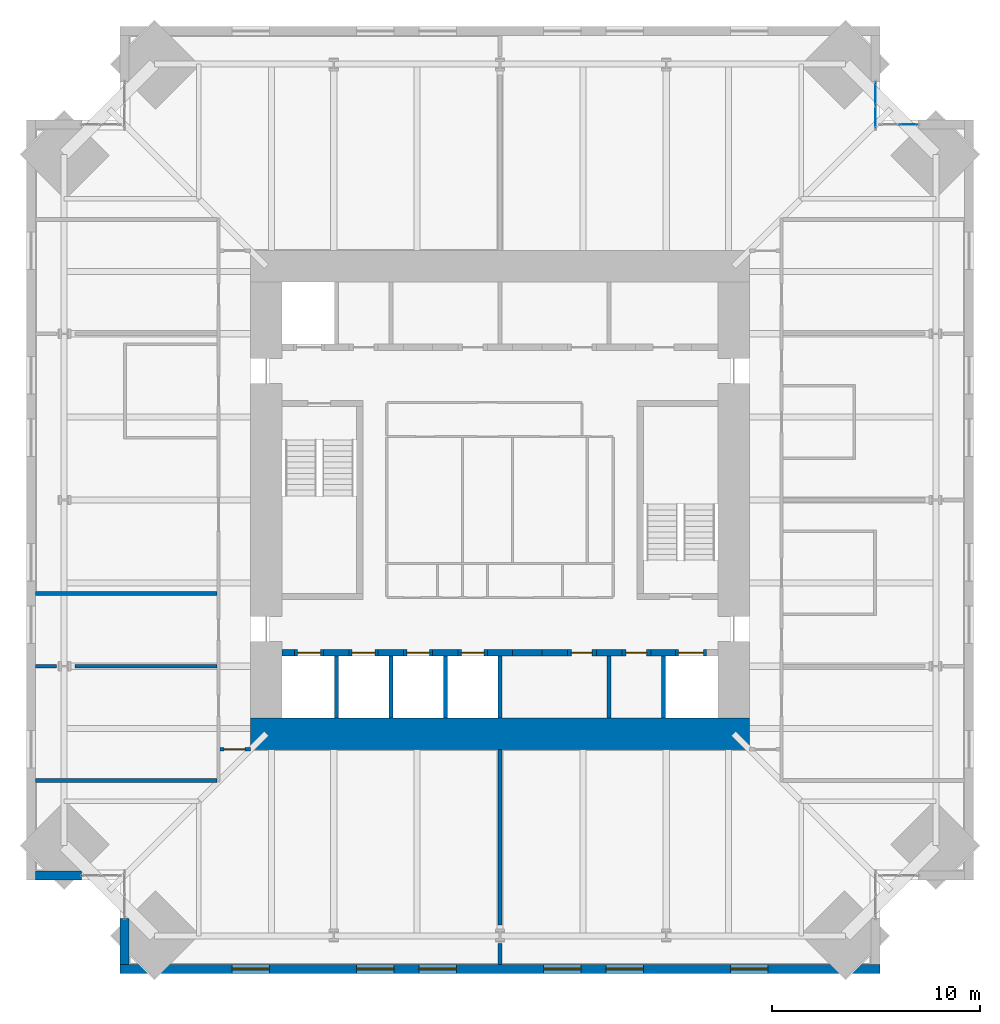
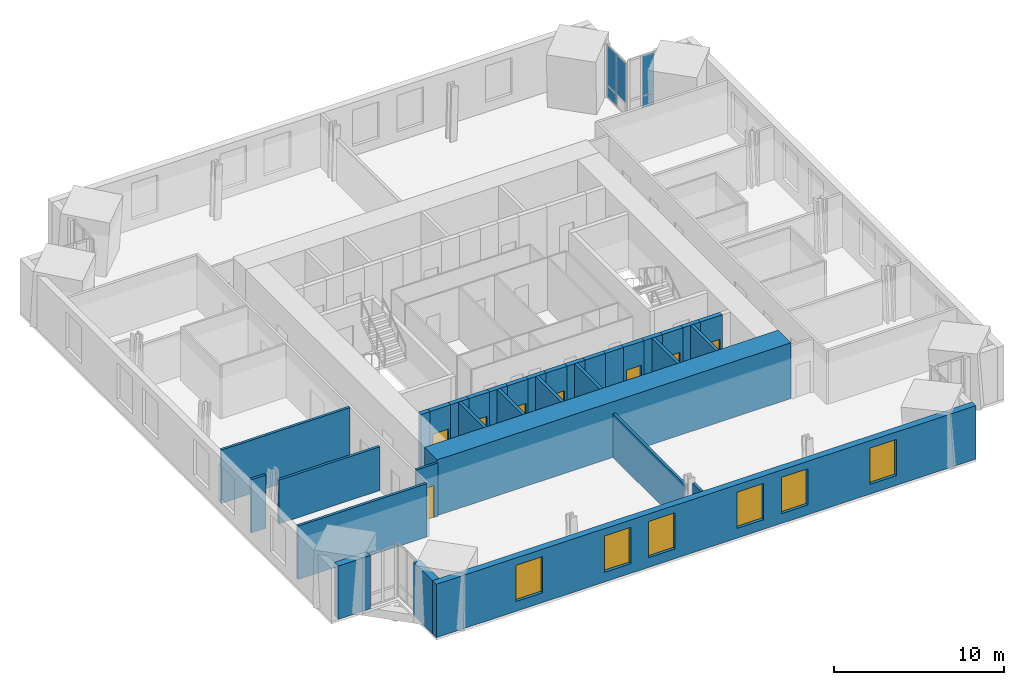
# One storey, part 10 of 15: 33 walls, 8 doors, 6 windows, 5 plates, 14 openings, 2 elements without a shape of their own.
"""IFC4 building model written with IfcOpenShell, lengths in metres."""

from ifc_helpers import new_model, si_unit, direction, frame, frame_2d, origin, origin_2d, place, context, subcontext, project, spatial, rectangle, extrude, material, layer, layer_set, type_object, element, fill, aggregate, save


model = new_model("IFC4")

# Units and contexts
model_context = context("Model", 3, precision=1e-05, world=origin(), true_north=direction((0.0, 1.0)))
body_context = subcontext(model_context, "Body", "Model", "MODEL_VIEW")
ifc_project = project(units=[si_unit("LENGTHUNIT", "METRE"), si_unit("AREAUNIT", "SQUARE_METRE"), si_unit("VOLUMEUNIT", "CUBIC_METRE"), si_unit("PLANEANGLEUNIT", "RADIAN"), si_unit("MASSUNIT", "GRAM", prefix="KILO")], contexts=[model_context])

# Site, building, storey
site_placement = place(None, origin())
site = spatial("IfcSite", under=ifc_project, at=site_placement, CompositionType="ELEMENT")
building_placement = place(site_placement, origin())
building = spatial("IfcBuilding", under=site, at=building_placement, Name="Peilmerk Tower", CompositionType="ELEMENT")
storey_placement = place(building_placement, frame((0.0, 0.0, 245.800048828125)))
storey = spatial("IfcBuildingStorey", under=building, at=storey_placement, Name="L54", CompositionType="ELEMENT", Elevation=245.800048828125)

# Curtain wall, plates
ifc_material_1 = material(Name="Aluminium stick curtain wall", Category="aluminium")
curtain_wall_type = type_object("IfcCurtainWallType", Name="CW4 stick curtain wall, 2250 module", PredefinedType="NOTDEFINED", material=ifc_material_1)
curtain_wall_1_placement = place(storey_placement, origin())
curtain_wall_1 = element("IfcCurtainWall", 1, at=curtain_wall_1_placement, inside=storey, type_object=curtain_wall_type, Name="Curtain wall CW4 NEA L54", PredefinedType="NOTDEFINED")
ifc_material_2 = material(Name="Clear insulated glazing unit", Category="glass")
ifc_layer_1 = layer(ifc_material_2, 0.028076171875)
ifc_layer_set_1 = layer_set([ifc_layer_1], Name="Clear insulated glazing unit")
plate_type = type_object("IfcPlateType", Name="CW4-P 28 glazed panel", PredefinedType="CURTAIN_PANEL", material=ifc_layer_set_1)
plate_1_placement = place(storey_placement, frame((18.074951171875, 18.4384765625, 0.932373046875), z_axis=(0.0, 0.0, 1.0), x_axis=(0.0, 1.0, 0.0)))
plate_1 = element("IfcPlate", 2, at=plate_1_placement, type_object=plate_type, Name="CW4 panel 1.2", PredefinedType="CURTAIN_PANEL", context=body_context, shape_type="SweptSolid", body=[
    extrude(rectangle(XDim=1.046875, YDim=0.028076171875, at=origin_2d()), origin(), (0.0, 0.0, 1.0), 2.83251953125),
])
plate_2_placement = place(storey_placement, frame((18.074951171875, 19.55029296875, 0.06494140625), z_axis=(0.0, 0.0, 1.0), x_axis=(0.0, 1.0, 0.0)))
plate_2 = element("IfcPlate", 3, at=plate_2_placement, type_object=plate_type, Name="CW4 panel 2.1", PredefinedType="CURTAIN_PANEL", context=body_context, shape_type="SweptSolid", body=[
    extrude(rectangle(XDim=1.046875, YDim=0.028076171875, at=origin_2d()), origin(), (0.0, 0.0, 1.0), 0.802490234375),
])
plate_3_placement = place(storey_placement, frame((18.074951171875, 19.55029296875, 0.932373046875), z_axis=(0.0, 0.0, 1.0), x_axis=(0.0, 1.0, 0.0)))
plate_3 = element("IfcPlate", 4, at=plate_3_placement, type_object=plate_type, Name="CW4 panel 2.2", PredefinedType="CURTAIN_PANEL", context=body_context, shape_type="SweptSolid", body=[
    extrude(rectangle(XDim=1.046875, YDim=0.028076171875, at=origin_2d()), origin(), (0.0, 0.0, 1.0), 2.83251953125),
])
aggregate(curtain_wall_1, [plate_1, plate_2, plate_3])

curtain_wall_2_placement = place(storey_placement, origin())
curtain_wall_2 = element("IfcCurtainWall", 5, at=curtain_wall_2_placement, inside=storey, type_object=curtain_wall_type, Name="Curtain wall CW4 NEB L54", PredefinedType="NOTDEFINED")
plate_4_placement = place(storey_placement, frame((19.662841796875, 18.074951171875, 0.06494140625), z_axis=(0.0, 0.0, 1.0), x_axis=(1.0, 0.0, 0.0)))
plate_4 = element("IfcPlate", 6, at=plate_4_placement, type_object=plate_type, Name="CW4 panel 2.1", PredefinedType="CURTAIN_PANEL", context=body_context, shape_type="SweptSolid", body=[
    extrude(rectangle(XDim=0.82177734375, YDim=0.028076171875, at=origin_2d()), origin(), (0.0, 0.0, 1.0), 0.802490234375),
])
plate_5_placement = place(storey_placement, frame((19.662841796875, 18.074951171875, 0.932373046875), z_axis=(0.0, 0.0, 1.0), x_axis=(1.0, 0.0, 0.0)))
plate_5 = element("IfcPlate", 7, at=plate_5_placement, type_object=plate_type, Name="CW4 panel 2.2", PredefinedType="CURTAIN_PANEL", context=body_context, shape_type="SweptSolid", body=[
    extrude(rectangle(XDim=0.82177734375, YDim=0.028076171875, at=origin_2d()), origin(), (0.0, 0.0, 1.0), 2.83251953125),
])
aggregate(curtain_wall_2, [plate_4, plate_5])

# Wall, openings, windows
ifc_material_3 = material(Name="Precast concrete C45/55, board-marked finish", Category="concrete")
ifc_layer_2 = layer(ifc_material_3, 0.449951171875)
ifc_layer_set_2 = layer_set([ifc_layer_2], Name="Precast concrete C45/55, board-marked finish")
wall_type_1 = type_object("IfcWallType", Name="EW1 450 precast concrete facade wall, board-marked", PredefinedType="SOLIDWALL", material=ifc_layer_set_2)
wall_1_placement = place(storey_placement, frame((-18.300048828125, -22.574951171875, 0.0), z_axis=(0.0, 0.0, 1.0), x_axis=(1.0, 0.0, 0.0)))
wall_1 = element("IfcWall", 8, at=wall_1_placement, inside=storey, type_object=wall_type_1, Name="Facade wall S L54", PredefinedType="SOLIDWALL", context=body_context, shape_type="SweptSolid", body=[
    extrude(rectangle(XDim=36.60009765625, YDim=0.449951171875, at=frame_2d((18.300048828125, 0.0))), origin(), (0.0, 0.0, 1.0), 3.829833984375),
])
opening_1_placement = place(wall_1_placement, frame((5.39990234375, 0.0, 0.699951171875)))
opening_1 = element("IfcOpeningElement", 9, at=opening_1_placement, cuts=wall_1, Name="Opening W1", PredefinedType="OPENING", context=body_context, shape_type="SweptSolid", body=[
    extrude(rectangle(XDim=1.800048828125, YDim=2.60009765625, at=frame_2d((0.89990234375, 1.300048828125))), frame((0.0, 0.23486328125, 0.0), z_axis=(0.0, -1.0, 0.0), x_axis=(1.0, 0.0, 0.0)), (0.0, 0.0, 1.0), 0.469970703125),
])
opening_2_placement = place(wall_1_placement, frame((11.39990234375, 0.0, 0.699951171875)))
opening_2 = element("IfcOpeningElement", 10, at=opening_2_placement, cuts=wall_1, Name="Opening W1", PredefinedType="OPENING", context=body_context, shape_type="SweptSolid", body=[
    extrude(rectangle(XDim=1.800048828125, YDim=2.60009765625, at=frame_2d((0.89990234375, 1.300048828125))), frame((0.0, 0.23486328125, 0.0), z_axis=(0.0, -1.0, 0.0), x_axis=(1.0, 0.0, 0.0)), (0.0, 0.0, 1.0), 0.469970703125),
])
opening_3_placement = place(wall_1_placement, frame((14.39990234375, 0.0, 0.699951171875)))
opening_3 = element("IfcOpeningElement", 11, at=opening_3_placement, cuts=wall_1, Name="Opening W1", PredefinedType="OPENING", context=body_context, shape_type="SweptSolid", body=[
    extrude(rectangle(XDim=1.800048828125, YDim=2.60009765625, at=frame_2d((0.89990234375, 1.300048828125))), frame((0.0, 0.23486328125, 0.0), z_axis=(0.0, -1.0, 0.0), x_axis=(1.0, 0.0, 0.0)), (0.0, 0.0, 1.0), 0.469970703125),
])
opening_4_placement = place(wall_1_placement, frame((20.39990234375, 0.0, 0.699951171875)))
opening_4 = element("IfcOpeningElement", 12, at=opening_4_placement, cuts=wall_1, Name="Opening W1", PredefinedType="OPENING", context=body_context, shape_type="SweptSolid", body=[
    extrude(rectangle(XDim=1.800048828125, YDim=2.60009765625, at=frame_2d((0.89990234375, 1.300048828125))), frame((0.0, 0.23486328125, 0.0), z_axis=(0.0, -1.0, 0.0), x_axis=(1.0, 0.0, 0.0)), (0.0, 0.0, 1.0), 0.469970703125),
])
opening_5_placement = place(wall_1_placement, frame((23.39990234375, 0.0, 0.699951171875)))
opening_5 = element("IfcOpeningElement", 13, at=opening_5_placement, cuts=wall_1, Name="Opening W1", PredefinedType="OPENING", context=body_context, shape_type="SweptSolid", body=[
    extrude(rectangle(XDim=1.800048828125, YDim=2.60009765625, at=frame_2d((0.89990234375, 1.300048828125))), frame((0.0, 0.23486328125, 0.0), z_axis=(0.0, -1.0, 0.0), x_axis=(1.0, 0.0, 0.0)), (0.0, 0.0, 1.0), 0.469970703125),
])
opening_6_placement = place(wall_1_placement, frame((29.39990234375, 0.0, 0.699951171875)))
opening_6 = element("IfcOpeningElement", 14, at=opening_6_placement, cuts=wall_1, Name="Opening W1", PredefinedType="OPENING", context=body_context, shape_type="SweptSolid", body=[
    extrude(rectangle(XDim=1.800048828125, YDim=2.60009765625, at=frame_2d((0.89990234375, 1.300048828125))), frame((0.0, 0.23486328125, 0.0), z_axis=(0.0, -1.0, 0.0), x_axis=(1.0, 0.0, 0.0)), (0.0, 0.0, 1.0), 0.469970703125),
])
ifc_material_4 = material(Name="Aluminium frame, clear double glazing", Category="aluminium")
window_type = type_object("IfcWindowType", Name="W1 1800x2600 office window", PartitioningType="SINGLE_PANEL", PredefinedType="WINDOW", material=ifc_material_4)
window_1_placement = place(opening_1_placement, origin())
window_1 = element("IfcWindow", 15, at=window_1_placement, inside=storey, type_object=window_type, Name="Window W1 L54", OverallHeight=2.60009765625, OverallWidth=1.800048828125, PartitioningType="SINGLE_PANEL", PredefinedType="WINDOW", context=body_context, shape_type="SweptSolid", body=[
    extrude(rectangle(XDim=1.800048828125, YDim=2.60009765625, at=frame_2d((0.89990234375, 1.300048828125))), frame((0.0, 0.030029296875, 0.0), z_axis=(0.0, -1.0, 0.0), x_axis=(1.0, 0.0, 0.0)), (0.0, 0.0, 1.0), 0.06005859375),
])
fill(opening_1, window_1)
window_2_placement = place(opening_2_placement, origin())
window_2 = element("IfcWindow", 16, at=window_2_placement, inside=storey, type_object=window_type, Name="Window W1 L54", OverallHeight=2.60009765625, OverallWidth=1.800048828125, PartitioningType="SINGLE_PANEL", PredefinedType="WINDOW", context=body_context, shape_type="SweptSolid", body=[
    extrude(rectangle(XDim=1.800048828125, YDim=2.60009765625, at=frame_2d((0.89990234375, 1.300048828125))), frame((0.0, 0.030029296875, 0.0), z_axis=(0.0, -1.0, 0.0), x_axis=(1.0, 0.0, 0.0)), (0.0, 0.0, 1.0), 0.06005859375),
])
fill(opening_2, window_2)
window_3_placement = place(opening_3_placement, origin())
window_3 = element("IfcWindow", 17, at=window_3_placement, inside=storey, type_object=window_type, Name="Window W1 L54", OverallHeight=2.60009765625, OverallWidth=1.800048828125, PartitioningType="SINGLE_PANEL", PredefinedType="WINDOW", context=body_context, shape_type="SweptSolid", body=[
    extrude(rectangle(XDim=1.800048828125, YDim=2.60009765625, at=frame_2d((0.89990234375, 1.300048828125))), frame((0.0, 0.030029296875, 0.0), z_axis=(0.0, -1.0, 0.0), x_axis=(1.0, 0.0, 0.0)), (0.0, 0.0, 1.0), 0.06005859375),
])
fill(opening_3, window_3)
window_4_placement = place(opening_4_placement, origin())
window_4 = element("IfcWindow", 18, at=window_4_placement, inside=storey, type_object=window_type, Name="Window W1 L54", OverallHeight=2.60009765625, OverallWidth=1.800048828125, PartitioningType="SINGLE_PANEL", PredefinedType="WINDOW", context=body_context, shape_type="SweptSolid", body=[
    extrude(rectangle(XDim=1.800048828125, YDim=2.60009765625, at=frame_2d((0.89990234375, 1.300048828125))), frame((0.0, 0.030029296875, 0.0), z_axis=(0.0, -1.0, 0.0), x_axis=(1.0, 0.0, 0.0)), (0.0, 0.0, 1.0), 0.06005859375),
])
fill(opening_4, window_4)
window_5_placement = place(opening_5_placement, origin())
window_5 = element("IfcWindow", 19, at=window_5_placement, inside=storey, type_object=window_type, Name="Window W1 L54", OverallHeight=2.60009765625, OverallWidth=1.800048828125, PartitioningType="SINGLE_PANEL", PredefinedType="WINDOW", context=body_context, shape_type="SweptSolid", body=[
    extrude(rectangle(XDim=1.800048828125, YDim=2.60009765625, at=frame_2d((0.89990234375, 1.300048828125))), frame((0.0, 0.030029296875, 0.0), z_axis=(0.0, -1.0, 0.0), x_axis=(1.0, 0.0, 0.0)), (0.0, 0.0, 1.0), 0.06005859375),
])
fill(opening_5, window_5)
window_6_placement = place(opening_6_placement, origin())
window_6 = element("IfcWindow", 20, at=window_6_placement, inside=storey, type_object=window_type, Name="Window W1 L54", OverallHeight=2.60009765625, OverallWidth=1.800048828125, PartitioningType="SINGLE_PANEL", PredefinedType="WINDOW", context=body_context, shape_type="SweptSolid", body=[
    extrude(rectangle(XDim=1.800048828125, YDim=2.60009765625, at=frame_2d((0.89990234375, 1.300048828125))), frame((0.0, 0.030029296875, 0.0), z_axis=(0.0, -1.0, 0.0), x_axis=(1.0, 0.0, 0.0)), (0.0, 0.0, 1.0), 0.06005859375),
])
fill(opening_6, window_6)

# Walls
for number, where, z_axis, x_axis, name in (
    (21, (-18.074951171875, -20.153564453125, 0.0), (0.0, 0.0, 1.0), (0.0, -1.0, 0.0), "Facade wall SWA L54"),
    (22, (-20.153564453125, -18.074951171875, 0.0), (0.0, 0.0, 1.0), (-1.0, 0.0, 0.0), "Facade wall SWB L54"),
):
    element("IfcWall", number, at=place(storey_placement, frame(where, z_axis=z_axis, x_axis=x_axis)), inside=storey, type_object=wall_type_1, Name=name, PredefinedType="SOLIDWALL", context=body_context, shape_type="SweptSolid", body=[
        extrude(rectangle(XDim=2.196533203125, YDim=0.449951171875, at=frame_2d((1.09814453125, 0.0))), origin(), (0.0, 0.0, 1.0), 3.829833984375),
    ])

# Wall, opening, door
ifc_material_5 = material(Name="Calcium silicate block", Category="masonry")
ifc_layer_3 = layer(ifc_material_5, 0.14990234375)
ifc_layer_set_3 = layer_set([ifc_layer_3], Name="Calcium silicate block")
wall_type_2 = type_object("IfcWallType", Name="IW1 150 corridor partition, EI 60", PredefinedType="PARTITIONING", material=ifc_layer_set_3)
wall_2_placement = place(storey_placement, frame((-12.0, -12.0, 0.0), z_axis=(0.0, 0.0, 1.0), x_axis=(-1.0, 0.0, 0.0)))
wall_2 = element("IfcWall", 23, at=wall_2_placement, inside=storey, type_object=wall_type_2, Name="Corridor wall SW L54", PredefinedType="PARTITIONING", context=body_context, shape_type="SweptSolid", body=[
    extrude(rectangle(XDim=1.47509765625, YDim=0.14990234375, at=frame_2d((0.737548828125, 0.0))), origin(), (0.0, 0.0, 1.0), 3.829833984375),
])
opening_7_placement = place(wall_2_placement, frame((0.27490234375, 0.0, 0.0)))
opening_7 = element("IfcOpeningElement", 24, at=opening_7_placement, cuts=wall_2, Name="Opening D1", PredefinedType="OPENING", context=body_context, shape_type="SweptSolid", body=[
    extrude(rectangle(XDim=1.0, YDim=2.300048828125, at=frame_2d((0.5, 1.14990234375))), frame((0.0, 0.0849609375, 0.0), z_axis=(0.0, -1.0, 0.0), x_axis=(1.0, 0.0, 0.0)), (0.0, 0.0, 1.0), 0.169921875),
])
ifc_material_6 = material(Name="Timber door in steel frame", Category="steel")
door_type_1 = type_object("IfcDoorType", Name="D1 1000x2300 room door, EI2 30", OperationType="SINGLE_SWING_LEFT", PredefinedType="DOOR", material=ifc_material_6)
door_1_placement = place(opening_7_placement, origin())
door_1 = element("IfcDoor", 25, at=door_1_placement, inside=storey, type_object=door_type_1, Name="Door Open workspace L54", OperationType="SINGLE_SWING_LEFT", OverallHeight=2.300048828125, OverallWidth=1.0, PredefinedType="DOOR", context=body_context, shape_type="SweptSolid", body=[
    extrude(rectangle(XDim=1.0, YDim=2.300048828125, at=frame_2d((0.5, 1.14990234375))), frame((0.0, 0.02490234375, 0.0), z_axis=(0.0, -1.0, 0.0), x_axis=(1.0, 0.0, 0.0)), (0.0, 0.0, 1.0), 0.050048828125),
])
fill(opening_7, door_1)

# Walls
ifc_layer_4 = layer(ifc_material_5, 0.175048828125)
ifc_layer_set_4 = layer_set([ifc_layer_4], Name="Calcium silicate block")
wall_type_3 = type_object("IfcWallType", Name="IW8 175 tenant separating wall, EI 60", PredefinedType="PARTITIONING", material=ifc_layer_set_4)
wall_3_placement = place(storey_placement, frame((-13.625, -13.5, 0.0), z_axis=(0.0, 0.0, 1.0), x_axis=(-1.0, 0.0, 0.0)))
element("IfcWall", 26, at=wall_3_placement, inside=storey, type_object=wall_type_3, Name="Tenant separating wall SW L54", PredefinedType="PARTITIONING", context=body_context, shape_type="SweptSolid", body=[
    extrude(rectangle(XDim=8.72509765625, YDim=0.175048828125, at=frame_2d((4.362548828125, 0.0))), origin(), (0.0, 0.0, 1.0), 3.829833984375),
])
wall_4_placement = place(storey_placement, frame((0.0, -12.0, 0.0), z_axis=(0.0, 0.0, 1.0), x_axis=(0.0, -1.0, 0.0)))
element("IfcWall", 27, at=wall_4_placement, inside=storey, type_object=wall_type_3, Name="Tenant separating wall S1 L54", PredefinedType="PARTITIONING", context=body_context, shape_type="SweptSolid", body=[
    extrude(rectangle(XDim=8.460205078125, YDim=0.175048828125, at=frame_2d((4.22998046875, 0.0))), origin(), (0.0, 0.0, 1.0), 3.139892578125),
])
wall_5_placement = place(storey_placement, frame((0.0, -21.349365234375, 0.0), z_axis=(0.0, 0.0, 1.0), x_axis=(0.0, -1.0, 0.0)))
element("IfcWall", 28, at=wall_5_placement, inside=storey, type_object=wall_type_3, Name="Tenant separating wall S1b L54", PredefinedType="PARTITIONING", context=body_context, shape_type="SweptSolid", body=[
    extrude(rectangle(XDim=1.000732421875, YDim=0.175048828125, at=frame_2d((0.50048828125, 0.0))), origin(), (0.0, 0.0, 1.0), 3.829833984375),
])
wall_6_placement = place(storey_placement, frame((-13.625, -8.0, 0.0), z_axis=(0.0, 0.0, 1.0), x_axis=(-1.0, 0.0, 0.0)))
element("IfcWall", 29, at=wall_6_placement, inside=storey, type_object=wall_type_3, Name="Tenant separating wall W1 L54", PredefinedType="PARTITIONING", context=body_context, shape_type="SweptSolid", body=[
    extrude(rectangle(XDim=6.835205078125, YDim=0.175048828125, at=frame_2d((3.41748046875, 0.0))), origin(), (0.0, 0.0, 1.0), 3.139892578125),
])
wall_7_placement = place(storey_placement, frame((-21.349365234375, -8.0, 0.0), z_axis=(0.0, 0.0, 1.0), x_axis=(-1.0, 0.0, 0.0)))
element("IfcWall", 30, at=wall_7_placement, inside=storey, type_object=wall_type_3, Name="Tenant separating wall W1b L54", PredefinedType="PARTITIONING", context=body_context, shape_type="SweptSolid", body=[
    extrude(rectangle(XDim=1.000732421875, YDim=0.175048828125, at=frame_2d((0.50048828125, 0.0))), origin(), (0.0, 0.0, 1.0), 3.829833984375),
])
wall_8_placement = place(storey_placement, frame((-13.625, -4.5, 0.0), z_axis=(0.0, 0.0, 1.0), x_axis=(-1.0, 0.0, 0.0)))
element("IfcWall", 31, at=wall_8_placement, inside=storey, type_object=wall_type_3, Name="Tenant separating wall W2 L54", PredefinedType="PARTITIONING", context=body_context, shape_type="SweptSolid", body=[
    extrude(rectangle(XDim=8.72509765625, YDim=0.175048828125, at=frame_2d((4.362548828125, 0.0))), origin(), (0.0, 0.0, 1.0), 3.829833984375),
])
ifc_layer_5 = layer(ifc_material_5, 0.199951171875)
ifc_layer_set_5 = layer_set([ifc_layer_5], Name="Calcium silicate block")
wall_type_4 = type_object("IfcWallType", Name="SH1 200 shaft dividing wall, EI 120", PredefinedType="PARTITIONING", material=ifc_layer_set_5)
for number, where, z_axis, x_axis, name in (
    (32, (-7.875, -10.5, 0.0), (0.0, 0.0, 1.0), (0.0, 1.0, 0.0), "Shaft wall S C4 L54"),
    (33, (-5.25, -10.5, 0.0), (0.0, 0.0, 1.0), (0.0, 1.0, 0.0), "Shaft wall S C3 L54"),
    (34, (-2.625, -10.5, 0.0), (0.0, 0.0, 1.0), (0.0, 1.0, 0.0), "Shaft wall S C2 L54"),
    (35, (0.0, -10.5, 0.0), (0.0, 0.0, 1.0), (0.0, 1.0, 0.0), "Shaft wall S C1 L54"),
    (36, (5.25, -10.5, 0.0), (0.0, 0.0, 1.0), (0.0, 1.0, 0.0), "Shaft wall S B2 L54"),
    (37, (7.875, -10.5, 0.0), (0.0, 0.0, 1.0), (0.0, 1.0, 0.0), "Shaft wall S B1 L54"),
):
    element("IfcWall", number, at=place(storey_placement, frame(where, z_axis=z_axis, x_axis=x_axis)), inside=storey, type_object=wall_type_4, Name=name, PredefinedType="PARTITIONING", context=body_context, shape_type="SweptSolid", body=[
        extrude(rectangle(XDim=3.0, YDim=0.199951171875, at=frame_2d((1.5, 0.0))), origin(), (0.0, 0.0, 1.0), 4.0),
    ])

# Wall, opening, door
ifc_layer_6 = layer(ifc_material_5, 0.300048828125)
ifc_layer_set_6 = layer_set([ifc_layer_6], Name="Calcium silicate block")
wall_type_5 = type_object("IfcWallType", Name="SH2 300 lift landing door panel, EI 120", PredefinedType="PARTITIONING", material=ifc_layer_set_6)
wall_9_placement = place(storey_placement, frame((-9.887451171875, -7.35009765625, 0.0), z_axis=(0.0, 0.0, 1.0), x_axis=(1.0, 0.0, 0.0)))
wall_9 = element("IfcWall", 38, at=wall_9_placement, inside=storey, type_object=wall_type_5, Name="Lift door panel S C4 L54", PredefinedType="PARTITIONING", context=body_context, shape_type="SweptSolid", body=[
    extrude(rectangle(XDim=1.39990234375, YDim=0.300048828125, at=frame_2d((0.699951171875, 0.0))), origin(), (0.0, 0.0, 1.0), 4.0),
])
opening_8_placement = place(wall_9_placement, frame((0.14990234375, 0.0, 0.0)))
opening_8 = element("IfcOpeningElement", 39, at=opening_8_placement, cuts=wall_9, Name="Opening LD1", PredefinedType="OPENING", context=body_context, shape_type="SweptSolid", body=[
    extrude(rectangle(XDim=1.10009765625, YDim=2.300048828125, at=frame_2d((0.550048828125, 1.14990234375))), frame((0.0, 0.159912109375, 0.0), z_axis=(0.0, -1.0, 0.0), x_axis=(1.0, 0.0, 0.0)), (0.0, 0.0, 1.0), 0.320068359375),
])
ifc_material_7 = material(Name="Stainless steel landing door", Category="steel")
door_type_2 = type_object("IfcDoorType", Name="LD1 1100x2300 lift landing door, sliding, EI2 60", OperationType="SLIDING_TO_LEFT", PredefinedType="DOOR", material=ifc_material_7)
door_2_placement = place(opening_8_placement, origin())
door_2 = element("IfcDoor", 40, at=door_2_placement, inside=storey, type_object=door_type_2, Name="Lift landing door C4 L54", OperationType="SLIDING_TO_LEFT", OverallHeight=2.300048828125, OverallWidth=1.10009765625, PredefinedType="DOOR", context=body_context, shape_type="SweptSolid", body=[
    extrude(rectangle(XDim=1.10009765625, YDim=2.300048828125, at=frame_2d((0.550048828125, 1.14990234375))), frame((0.0, 0.02490234375, 0.0), z_axis=(0.0, -1.0, 0.0), x_axis=(1.0, 0.0, 0.0)), (0.0, 0.0, 1.0), 0.050048828125),
])
fill(opening_8, door_2)

wall_10_placement = place(storey_placement, frame((-7.262451171875, -7.35009765625, 0.0), z_axis=(0.0, 0.0, 1.0), x_axis=(1.0, 0.0, 0.0)))
wall_10 = element("IfcWall", 41, at=wall_10_placement, inside=storey, type_object=wall_type_5, Name="Lift door panel S C3 L54", PredefinedType="PARTITIONING", context=body_context, shape_type="SweptSolid", body=[
    extrude(rectangle(XDim=1.39990234375, YDim=0.300048828125, at=frame_2d((0.699951171875, 0.0))), origin(), (0.0, 0.0, 1.0), 4.0),
])
opening_9_placement = place(wall_10_placement, frame((0.14990234375, 0.0, 0.0)))
opening_9 = element("IfcOpeningElement", 42, at=opening_9_placement, cuts=wall_10, Name="Opening LD1", PredefinedType="OPENING", context=body_context, shape_type="SweptSolid", body=[
    extrude(rectangle(XDim=1.10009765625, YDim=2.300048828125, at=frame_2d((0.550048828125, 1.14990234375))), frame((0.0, 0.159912109375, 0.0), z_axis=(0.0, -1.0, 0.0), x_axis=(1.0, 0.0, 0.0)), (0.0, 0.0, 1.0), 0.320068359375),
])
door_3_placement = place(opening_9_placement, origin())
door_3 = element("IfcDoor", 43, at=door_3_placement, inside=storey, type_object=door_type_2, Name="Lift landing door C3 L54", OperationType="SLIDING_TO_LEFT", OverallHeight=2.300048828125, OverallWidth=1.10009765625, PredefinedType="DOOR", context=body_context, shape_type="SweptSolid", body=[
    extrude(rectangle(XDim=1.10009765625, YDim=2.300048828125, at=frame_2d((0.550048828125, 1.14990234375))), frame((0.0, 0.02490234375, 0.0), z_axis=(0.0, -1.0, 0.0), x_axis=(1.0, 0.0, 0.0)), (0.0, 0.0, 1.0), 0.050048828125),
])
fill(opening_9, door_3)

wall_11_placement = place(storey_placement, frame((-4.637451171875, -7.35009765625, 0.0), z_axis=(0.0, 0.0, 1.0), x_axis=(1.0, 0.0, 0.0)))
wall_11 = element("IfcWall", 44, at=wall_11_placement, inside=storey, type_object=wall_type_5, Name="Lift door panel S C2 L54", PredefinedType="PARTITIONING", context=body_context, shape_type="SweptSolid", body=[
    extrude(rectangle(XDim=1.39990234375, YDim=0.300048828125, at=frame_2d((0.699951171875, 0.0))), origin(), (0.0, 0.0, 1.0), 4.0),
])
opening_10_placement = place(wall_11_placement, frame((0.14990234375, 0.0, 0.0)))
opening_10 = element("IfcOpeningElement", 45, at=opening_10_placement, cuts=wall_11, Name="Opening LD1", PredefinedType="OPENING", context=body_context, shape_type="SweptSolid", body=[
    extrude(rectangle(XDim=1.10009765625, YDim=2.300048828125, at=frame_2d((0.550048828125, 1.14990234375))), frame((0.0, 0.159912109375, 0.0), z_axis=(0.0, -1.0, 0.0), x_axis=(1.0, 0.0, 0.0)), (0.0, 0.0, 1.0), 0.320068359375),
])
door_4_placement = place(opening_10_placement, origin())
door_4 = element("IfcDoor", 46, at=door_4_placement, inside=storey, type_object=door_type_2, Name="Lift landing door C2 L54", OperationType="SLIDING_TO_LEFT", OverallHeight=2.300048828125, OverallWidth=1.10009765625, PredefinedType="DOOR", context=body_context, shape_type="SweptSolid", body=[
    extrude(rectangle(XDim=1.10009765625, YDim=2.300048828125, at=frame_2d((0.550048828125, 1.14990234375))), frame((0.0, 0.02490234375, 0.0), z_axis=(0.0, -1.0, 0.0), x_axis=(1.0, 0.0, 0.0)), (0.0, 0.0, 1.0), 0.050048828125),
])
fill(opening_10, door_4)

wall_12_placement = place(storey_placement, frame((-2.012451171875, -7.35009765625, 0.0), z_axis=(0.0, 0.0, 1.0), x_axis=(1.0, 0.0, 0.0)))
wall_12 = element("IfcWall", 47, at=wall_12_placement, inside=storey, type_object=wall_type_5, Name="Lift door panel S C1 L54", PredefinedType="PARTITIONING", context=body_context, shape_type="SweptSolid", body=[
    extrude(rectangle(XDim=1.39990234375, YDim=0.300048828125, at=frame_2d((0.699951171875, 0.0))), origin(), (0.0, 0.0, 1.0), 4.0),
])
opening_11_placement = place(wall_12_placement, frame((0.14990234375, 0.0, 0.0)))
opening_11 = element("IfcOpeningElement", 48, at=opening_11_placement, cuts=wall_12, Name="Opening LD1", PredefinedType="OPENING", context=body_context, shape_type="SweptSolid", body=[
    extrude(rectangle(XDim=1.10009765625, YDim=2.300048828125, at=frame_2d((0.550048828125, 1.14990234375))), frame((0.0, 0.159912109375, 0.0), z_axis=(0.0, -1.0, 0.0), x_axis=(1.0, 0.0, 0.0)), (0.0, 0.0, 1.0), 0.320068359375),
])
door_5_placement = place(opening_11_placement, origin())
door_5 = element("IfcDoor", 49, at=door_5_placement, inside=storey, type_object=door_type_2, Name="Lift landing door C1 L54", OperationType="SLIDING_TO_LEFT", OverallHeight=2.300048828125, OverallWidth=1.10009765625, PredefinedType="DOOR", context=body_context, shape_type="SweptSolid", body=[
    extrude(rectangle(XDim=1.10009765625, YDim=2.300048828125, at=frame_2d((0.550048828125, 1.14990234375))), frame((0.0, 0.02490234375, 0.0), z_axis=(0.0, -1.0, 0.0), x_axis=(1.0, 0.0, 0.0)), (0.0, 0.0, 1.0), 0.050048828125),
])
fill(opening_11, door_5)

# Wall
wall_13_placement = place(storey_placement, frame((0.612548828125, -7.35009765625, 0.0), z_axis=(0.0, 0.0, 1.0), x_axis=(1.0, 0.0, 0.0)))
element("IfcWall", 50, at=wall_13_placement, inside=storey, type_object=wall_type_5, Name="Lift door panel S B3 L54", PredefinedType="PARTITIONING", context=body_context, shape_type="SweptSolid", body=[
    extrude(rectangle(XDim=1.39990234375, YDim=0.300048828125, at=frame_2d((0.699951171875, 0.0))), origin(), (0.0, 0.0, 1.0), 4.0),
])

# Wall, opening, door
wall_14_placement = place(storey_placement, frame((3.237548828125, -7.35009765625, 0.0), z_axis=(0.0, 0.0, 1.0), x_axis=(1.0, 0.0, 0.0)))
wall_14 = element("IfcWall", 51, at=wall_14_placement, inside=storey, type_object=wall_type_5, Name="Lift door panel S B2 L54", PredefinedType="PARTITIONING", context=body_context, shape_type="SweptSolid", body=[
    extrude(rectangle(XDim=1.39990234375, YDim=0.300048828125, at=frame_2d((0.699951171875, 0.0))), origin(), (0.0, 0.0, 1.0), 4.0),
])
opening_12_placement = place(wall_14_placement, frame((0.199951171875, 0.0, 0.0)))
opening_12 = element("IfcOpeningElement", 52, at=opening_12_placement, cuts=wall_14, Name="Opening D10", PredefinedType="OPENING", context=body_context, shape_type="SweptSolid", body=[
    extrude(rectangle(XDim=1.0, YDim=2.300048828125, at=frame_2d((0.5, 1.14990234375))), frame((0.0, 0.159912109375, 0.0), z_axis=(0.0, -1.0, 0.0), x_axis=(1.0, 0.0, 0.0)), (0.0, 0.0, 1.0), 0.320068359375),
])
ifc_material_8 = material(Name="Steel door in steel frame", Category="steel")
door_type_3 = type_object("IfcDoorType", Name="D10 1000x2300 core room door, EI2 60", OperationType="SINGLE_SWING_RIGHT", PredefinedType="DOOR", material=ifc_material_8)
door_6_placement = place(opening_12_placement, frame((1.0, 0.0, 0.0), z_axis=(0.0, 0.0, 1.0), x_axis=(-1.0, 0.0, 0.0)))
door_6 = element("IfcDoor", 53, at=door_6_placement, inside=storey, type_object=door_type_3, Name="Door Staff room L54", OperationType="SINGLE_SWING_RIGHT", OverallHeight=2.300048828125, OverallWidth=1.0, PredefinedType="DOOR", context=body_context, shape_type="SweptSolid", body=[
    extrude(rectangle(XDim=1.0, YDim=2.300048828125, at=frame_2d((0.5, 1.14990234375))), frame((0.0, 0.02490234375, 0.0), z_axis=(0.0, -1.0, 0.0), x_axis=(1.0, 0.0, 0.0)), (0.0, 0.0, 1.0), 0.050048828125),
])
fill(opening_12, door_6)

wall_15_placement = place(storey_placement, frame((5.862548828125, -7.35009765625, 0.0), z_axis=(0.0, 0.0, 1.0), x_axis=(1.0, 0.0, 0.0)))
wall_15 = element("IfcWall", 54, at=wall_15_placement, inside=storey, type_object=wall_type_5, Name="Lift door panel S B1 L54", PredefinedType="PARTITIONING", context=body_context, shape_type="SweptSolid", body=[
    extrude(rectangle(XDim=1.39990234375, YDim=0.300048828125, at=frame_2d((0.699951171875, 0.0))), origin(), (0.0, 0.0, 1.0), 4.0),
])
opening_13_placement = place(wall_15_placement, frame((0.199951171875, 0.0, 0.0)))
opening_13 = element("IfcOpeningElement", 55, at=opening_13_placement, cuts=wall_15, Name="Opening D10", PredefinedType="OPENING", context=body_context, shape_type="SweptSolid", body=[
    extrude(rectangle(XDim=1.0, YDim=2.300048828125, at=frame_2d((0.5, 1.14990234375))), frame((0.0, 0.159912109375, 0.0), z_axis=(0.0, -1.0, 0.0), x_axis=(1.0, 0.0, 0.0)), (0.0, 0.0, 1.0), 0.320068359375),
])
door_7_placement = place(opening_13_placement, frame((1.0, 0.0, 0.0), z_axis=(0.0, 0.0, 1.0), x_axis=(-1.0, 0.0, 0.0)))
door_7 = element("IfcDoor", 56, at=door_7_placement, inside=storey, type_object=door_type_3, Name="Door IT room L54", OperationType="SINGLE_SWING_RIGHT", OverallHeight=2.300048828125, OverallWidth=1.0, PredefinedType="DOOR", context=body_context, shape_type="SweptSolid", body=[
    extrude(rectangle(XDim=1.0, YDim=2.300048828125, at=frame_2d((0.5, 1.14990234375))), frame((0.0, 0.02490234375, 0.0), z_axis=(0.0, -1.0, 0.0), x_axis=(1.0, 0.0, 0.0)), (0.0, 0.0, 1.0), 0.050048828125),
])
fill(opening_13, door_7)

wall_16_placement = place(storey_placement, frame((8.4375, -7.35009765625, 0.0), z_axis=(0.0, 0.0, 1.0), x_axis=(1.0, 0.0, 0.0)))
wall_16 = element("IfcWall", 57, at=wall_16_placement, inside=storey, type_object=wall_type_5, Name="Lift door panel S FL2 L54", PredefinedType="PARTITIONING", context=body_context, shape_type="SweptSolid", body=[
    extrude(rectangle(XDim=1.5, YDim=0.300048828125, at=frame_2d((0.75, 0.0))), origin(), (0.0, 0.0, 1.0), 4.0),
])
opening_14_placement = place(wall_16_placement, frame((0.14990234375, 0.0, 0.0)))
opening_14 = element("IfcOpeningElement", 58, at=opening_14_placement, cuts=wall_16, Name="Opening LD2", PredefinedType="OPENING", context=body_context, shape_type="SweptSolid", body=[
    extrude(rectangle(XDim=1.199951171875, YDim=2.300048828125, at=frame_2d((0.60009765625, 1.14990234375))), frame((0.0, 0.159912109375, 0.0), z_axis=(0.0, -1.0, 0.0), x_axis=(1.0, 0.0, 0.0)), (0.0, 0.0, 1.0), 0.320068359375),
])
door_type_4 = type_object("IfcDoorType", Name="LD2 1200x2300 lift landing door, sliding, EI2 60", OperationType="SLIDING_TO_LEFT", PredefinedType="DOOR", material=ifc_material_7)
door_8_placement = place(opening_14_placement, origin())
door_8 = element("IfcDoor", 59, at=door_8_placement, inside=storey, type_object=door_type_4, Name="Lift landing door FL2 L54", OperationType="SLIDING_TO_LEFT", OverallHeight=2.300048828125, OverallWidth=1.199951171875, PredefinedType="DOOR", context=body_context, shape_type="SweptSolid", body=[
    extrude(rectangle(XDim=1.199951171875, YDim=2.300048828125, at=frame_2d((0.60009765625, 1.14990234375))), frame((0.0, 0.02490234375, 0.0), z_axis=(0.0, -1.0, 0.0), x_axis=(1.0, 0.0, 0.0)), (0.0, 0.0, 1.0), 0.050048828125),
])
fill(opening_14, door_8)

# Walls
ifc_material_9 = material(Name="Concrete C55/67", Category="concrete")
ifc_layer_7 = layer(ifc_material_9, 1.5)
ifc_layer_set_7 = layer_set([ifc_layer_7], Name="Concrete C55/67")
wall_type_6 = type_object("IfcWallType", Name="SW1 1500 core wall", PredefinedType="SHEAR", material=ifc_layer_set_7)
wall_17_placement = place(storey_placement, frame((12.0, -11.25, 0.0), z_axis=(0.0, 0.0, 1.0), x_axis=(-1.0, 0.0, 0.0)))
element("IfcWall", 60, at=wall_17_placement, inside=storey, type_object=wall_type_6, Name="Core wall S L54", PredefinedType="SHEAR", context=body_context, shape_type="SweptSolid", body=[
    extrude(rectangle(XDim=24.0, YDim=1.5, at=frame_2d((12.0, 0.0))), origin(), (0.0, 0.0, 1.0), 4.0),
])
ifc_layer_8 = layer(ifc_material_9, 0.300048828125)
ifc_layer_set_8 = layer_set([ifc_layer_8], Name="Concrete C55/67")
wall_type_7 = type_object("IfcWallType", Name="SW2 300 lift bank pier", PredefinedType="SHEAR", material=ifc_layer_set_8)
wall_18_placement = place(storey_placement, frame((-10.5, -7.35009765625, 0.0), z_axis=(0.0, 0.0, 1.0), x_axis=(1.0, 0.0, 0.0)))
element("IfcWall", 61, at=wall_18_placement, inside=storey, type_object=wall_type_7, Name="Lift bank pier S L54", PredefinedType="SHEAR", context=body_context, shape_type="SweptSolid", body=[
    extrude(rectangle(XDim=0.612548828125, YDim=0.300048828125, at=frame_2d((0.30615234375, 0.0))), origin(), (0.0, 0.0, 1.0), 4.0),
])
for number, where, z_axis, x_axis, name in (
    (62, (-8.487548828125, -7.35009765625, 0.0), (0.0, 0.0, 1.0), (1.0, 0.0, 0.0), "Lift bank pier S L54"),
    (63, (-5.862548828125, -7.35009765625, 0.0), (0.0, 0.0, 1.0), (1.0, 0.0, 0.0), "Lift bank pier S L54"),
    (64, (-3.237548828125, -7.35009765625, 0.0), (0.0, 0.0, 1.0), (1.0, 0.0, 0.0), "Lift bank pier S L54"),
    (65, (-0.612548828125, -7.35009765625, 0.0), (0.0, 0.0, 1.0), (1.0, 0.0, 0.0), "Lift bank pier S L54"),
    (66, (2.012451171875, -7.35009765625, 0.0), (0.0, 0.0, 1.0), (1.0, 0.0, 0.0), "Lift bank pier S L54"),
    (67, (4.637451171875, -7.35009765625, 0.0), (0.0, 0.0, 1.0), (1.0, 0.0, 0.0), "Lift bank pier S L54"),
):
    element("IfcWall", number, at=place(storey_placement, frame(where, z_axis=z_axis, x_axis=x_axis)), inside=storey, type_object=wall_type_7, Name=name, PredefinedType="SHEAR", context=body_context, shape_type="SweptSolid", body=[
        extrude(rectangle(XDim=1.22509765625, YDim=0.300048828125, at=frame_2d((0.612548828125, 0.0))), origin(), (0.0, 0.0, 1.0), 4.0),
    ])
wall_19_placement = place(storey_placement, frame((7.262451171875, -7.35009765625, 0.0), z_axis=(0.0, 0.0, 1.0), x_axis=(1.0, 0.0, 0.0)))
element("IfcWall", 68, at=wall_19_placement, inside=storey, type_object=wall_type_7, Name="Lift bank pier S L54", PredefinedType="SHEAR", context=body_context, shape_type="SweptSolid", body=[
    extrude(rectangle(XDim=1.175048828125, YDim=0.300048828125, at=frame_2d((0.58740234375, 0.0))), origin(), (0.0, 0.0, 1.0), 4.0),
])

save(model, "model.ifc")
